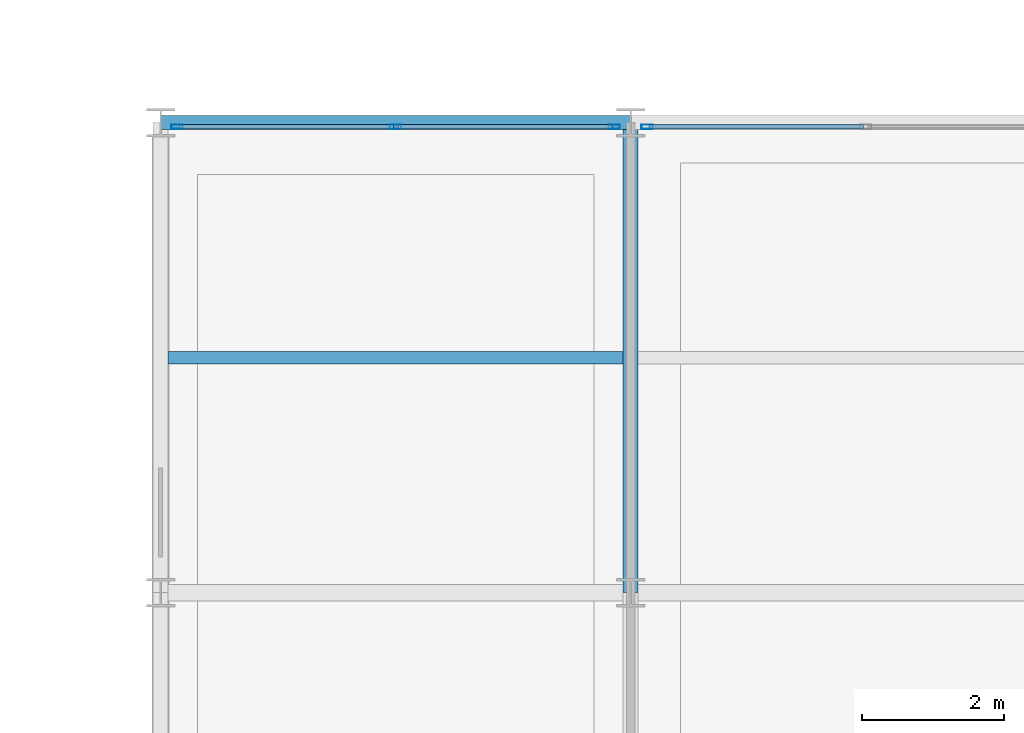
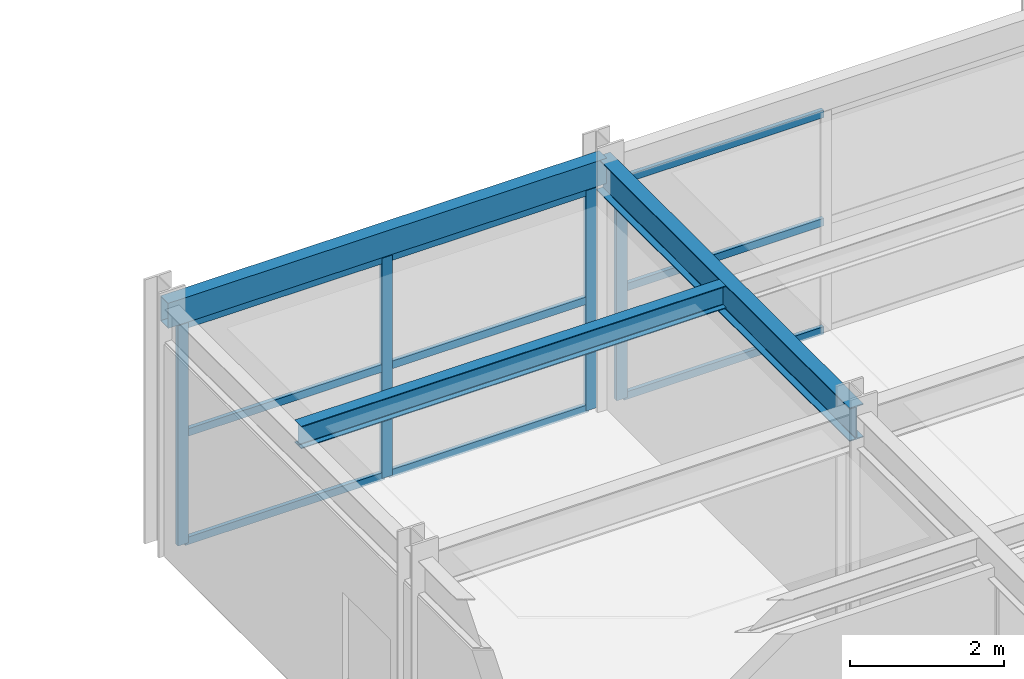
# One storey, part 55 of 147: 13 members, 3 beams, 2 elements without a shape of their own.
"""IFC4 building model written with IfcOpenShell, lengths in metres."""

from ifc_helpers import new_model, si_unit, direction, frame, origin, origin_2d, place, context, subcontext, project, spatial, hollow_rectangle, i_section, extrude, material, material_profile, profile_set, type_object, element, aggregate, save


model = new_model("IFC4")

# Units and contexts
model_context = context("Model", 3, precision=1e-05, world=origin(), true_north=direction((0.0, 1.0)))
body_context = subcontext(model_context, "Body", "Model", "MODEL_VIEW")
ifc_project = project(units=[si_unit("LENGTHUNIT", "METRE"), si_unit("AREAUNIT", "SQUARE_METRE"), si_unit("VOLUMEUNIT", "CUBIC_METRE"), si_unit("PLANEANGLEUNIT", "RADIAN"), si_unit("MASSUNIT", "GRAM", prefix="KILO")], contexts=[model_context])

# Site, building, storey
site_placement = place(None, origin())
site = spatial("IfcSite", under=ifc_project, at=site_placement, CompositionType="ELEMENT")
building_placement = place(site_placement, origin())
building = spatial("IfcBuilding", under=site, at=building_placement, Name="Karori Crest Natural Sciences Institute", CompositionType="ELEMENT")
storey_placement = place(building_placement, frame((0.0, 0.0, 9.10009765625)))
storey = spatial("IfcBuildingStorey", under=building, at=storey_placement, Name="L02", CompositionType="ELEMENT", Elevation=9.10009765625)

# Beams
ifc_material_1 = material(Name="Structural steel AS/NZS 3679.1 Grade 350", Category="steel")
ifc_material_profile_1 = material_profile(ifc_material_1, i_section(OverallWidth=0.208984375, OverallDepth=0.532958984375, WebThickness=0.01025390625, FlangeThickness=0.015625, FilletRadius=0.013916015625, at=origin_2d()), Name="530UB92.4")
ifc_profile_set_1 = profile_set([ifc_material_profile_1], Name="Structural steel AS/NZS 3679.1 Grade 350")
beam_type_1 = type_object("IfcBeamType", Name="BT-05", PredefinedType="BEAM", material=ifc_profile_set_1)
beam_1_placement = place(storey_placement, frame((110.199951171875, 14.0, 3.6533203125), z_axis=(0.0, 1.0, 0.0), x_axis=(-1.0, 0.0, 0.0)))
element("IfcBeam", 1, at=beam_1_placement, inside=storey, type_object=beam_type_1, Name="Beam B-2234", PredefinedType="BEAM", context=body_context, shape_type="SweptSolid", body=[
    extrude(i_section(OverallWidth=0.208984375, OverallDepth=0.532958984375, WebThickness=0.01025390625, FlangeThickness=0.015625, FilletRadius=0.013916015625, at=origin_2d()), origin(), (0.0, 0.0, 1.0), 6.60009765625),
])
ifc_material_profile_2 = material_profile(ifc_material_1, i_section(OverallWidth=0.172119140625, OverallDepth=0.35888671875, WebThickness=0.008056640625, FlangeThickness=0.012939453125, FilletRadius=0.010986328125, at=origin_2d()), Name="360UB56.7")
ifc_profile_set_2 = profile_set([ifc_material_profile_2], Name="Structural steel AS/NZS 3679.1 Grade 350")
beam_type_2 = type_object("IfcBeamType", Name="BT-08", PredefinedType="BEAM", material=ifc_profile_set_2)
beam_2_placement = place(storey_placement, frame((103.70458984375, 17.300048828125, 3.740478515625), z_axis=(1.0, 0.0, 0.0), x_axis=(0.0, 1.0, 0.0)))
element("IfcBeam", 2, at=beam_2_placement, inside=storey, type_object=beam_type_2, Name="Beam B-2260", PredefinedType="BEAM", context=body_context, shape_type="SweptSolid", body=[
    extrude(i_section(OverallWidth=0.172119140625, OverallDepth=0.35888671875, WebThickness=0.008056640625, FlangeThickness=0.012939453125, FilletRadius=0.010986328125, at=origin_2d()), origin(), (0.0, 0.0, 1.0), 6.390869140625),
])
ifc_material_2 = material(Name="Hollow structural steel AS/NZS 1163 Grade C350", Category="steel")
ifc_material_profile_3 = material_profile(ifc_material_2, hollow_rectangle(XDim=0.199951171875, YDim=0.39990234375, WallThickness=0.012451171875, at=origin_2d()), Name="RHS400x200x12.5")
ifc_profile_set_3 = profile_set([ifc_material_profile_3], Name="Hollow structural steel AS/NZS 1163 Grade C350")
beam_type_3 = type_object("IfcBeamType", Name="BT-14", PredefinedType="SPANDREL", material=ifc_profile_set_3)
beam_3_placement = place(storey_placement, frame((103.60009765625, 20.60009765625, 3.719970703125), z_axis=(1.0, 0.0, 0.0), x_axis=(0.0, 1.0, 0.0)))
element("IfcBeam", 3, at=beam_3_placement, inside=storey, type_object=beam_type_3, Name="Beam B-2220", PredefinedType="SPANDREL", context=body_context, shape_type="SweptSolid", body=[
    extrude(hollow_rectangle(XDim=0.199951171875, YDim=0.39990234375, WallThickness=0.012451171875, at=origin_2d()), origin(), (0.0, 0.0, 1.0), 6.599853515625),
])

# Curtain wall, members
ifc_material_3 = material(Name="Anodised architectural aluminium 6063-T6", Category="aluminium")
curtain_wall_type = type_object("IfcCurtainWallType", Name="CWT-20", PredefinedType="NOTDEFINED", material=ifc_material_3)
curtain_wall_1_placement = place(storey_placement, origin())
curtain_wall_1 = element("IfcCurtainWall", 4, at=curtain_wall_1_placement, inside=storey, type_object=curtain_wall_type, Name="Curtain wall CW-0313", PredefinedType="NOTDEFINED")
ifc_material_profile_4 = material_profile(ifc_material_3, hollow_rectangle(XDim=0.06494140625, YDim=0.159912109375, WallThickness=0.00390625, at=origin_2d()), Name="CWM160x65x4")
ifc_profile_set_4 = profile_set([ifc_material_profile_4], Name="Anodised architectural aluminium 6063-T6")
member_type_1 = type_object("IfcMemberType", Name="CWM-01", PredefinedType="MULLION", material=ifc_profile_set_4)
member_1_placement = place(storey_placement, frame((103.83056640625, 20.5400390625, 0.0), z_axis=(0.0, 0.0, 1.0), x_axis=(0.0, 1.0, 0.0)))
member_1 = element("IfcMember", 5, at=member_1_placement, type_object=member_type_1, Name="CW-0313 mullion 1", PredefinedType="MULLION", context=body_context, shape_type="SweptSolid", body=[
    extrude(hollow_rectangle(XDim=0.06494140625, YDim=0.159912109375, WallThickness=0.00390625, at=origin_2d()), origin(), (0.0, 0.0, 1.0), 3.5048828125),
])
member_2_placement = place(storey_placement, frame((106.89990234375, 20.5400390625, 0.0), z_axis=(0.0, 0.0, 1.0), x_axis=(0.0, 1.0, 0.0)))
member_2 = element("IfcMember", 6, at=member_2_placement, type_object=member_type_1, Name="CW-0313 mullion 2", PredefinedType="MULLION", context=body_context, shape_type="SweptSolid", body=[
    extrude(hollow_rectangle(XDim=0.06494140625, YDim=0.159912109375, WallThickness=0.00390625, at=origin_2d()), origin(), (0.0, 0.0, 1.0), 3.5048828125),
])
member_3_placement = place(storey_placement, frame((109.969482421875, 20.5400390625, 0.0), z_axis=(0.0, 0.0, 1.0), x_axis=(0.0, 1.0, 0.0)))
member_3 = element("IfcMember", 7, at=member_3_placement, type_object=member_type_1, Name="CW-0313 mullion 3", PredefinedType="MULLION", context=body_context, shape_type="SweptSolid", body=[
    extrude(hollow_rectangle(XDim=0.06494140625, YDim=0.159912109375, WallThickness=0.00390625, at=origin_2d()), origin(), (0.0, 0.0, 1.0), 3.5048828125),
])

# Curtain wall, member
curtain_wall_2_placement = place(storey_placement, origin())
curtain_wall_2 = element("IfcCurtainWall", 8, at=curtain_wall_2_placement, inside=storey, type_object=curtain_wall_type, Name="Curtain wall CW-0314", PredefinedType="NOTDEFINED")
member_4_placement = place(storey_placement, frame((110.430419921875, 20.5400390625, 0.0), z_axis=(0.0, 0.0, 1.0), x_axis=(0.0, 1.0, 0.0)))
member_4 = element("IfcMember", 9, at=member_4_placement, type_object=member_type_1, Name="CW-0314 mullion 1", PredefinedType="MULLION", context=body_context, shape_type="SweptSolid", body=[
    extrude(hollow_rectangle(XDim=0.06494140625, YDim=0.159912109375, WallThickness=0.00390625, at=origin_2d()), origin(), (0.0, 0.0, 1.0), 3.5048828125),
])

# Member
ifc_material_profile_5 = material_profile(ifc_material_3, hollow_rectangle(XDim=0.06005859375, YDim=0.1201171875, WallThickness=0.00390625, at=origin_2d()), Name="CWT120x60x4")
ifc_profile_set_5 = profile_set([ifc_material_profile_5], Name="Anodised architectural aluminium 6063-T6")
member_type_2 = type_object("IfcMemberType", Name="CWT-TR1", PredefinedType="USERDEFINED", material=ifc_profile_set_5)
member_5_placement = place(storey_placement, frame((103.863037109375, 20.5400390625, 0.02978515625), z_axis=(1.0, 0.0, 0.0), x_axis=(0.0, 1.0, 0.0)))
member_5 = element("IfcMember", 10, at=member_5_placement, type_object=member_type_2, Name="CW-0313 transom 1.1", ObjectType="TRANSOM", PredefinedType="USERDEFINED", context=body_context, shape_type="SweptSolid", body=[
    extrude(hollow_rectangle(XDim=0.06005859375, YDim=0.1201171875, WallThickness=0.00390625, at=origin_2d()), origin(), (0.0, 0.0, 1.0), 3.00439453125),
])

member_6_placement = place(storey_placement, frame((103.863037109375, 20.5400390625, 1.75244140625), z_axis=(1.0, 0.0, 0.0), x_axis=(0.0, 1.0, 0.0)))
member_6 = element("IfcMember", 11, at=member_6_placement, type_object=member_type_2, Name="CW-0313 transom 1.2", ObjectType="TRANSOM", PredefinedType="USERDEFINED", context=body_context, shape_type="SweptSolid", body=[
    extrude(hollow_rectangle(XDim=0.06005859375, YDim=0.1201171875, WallThickness=0.00390625, at=origin_2d()), origin(), (0.0, 0.0, 1.0), 3.00439453125),
])

member_7_placement = place(storey_placement, frame((103.863037109375, 20.5400390625, 3.474853515625), z_axis=(1.0, 0.0, 0.0), x_axis=(0.0, 1.0, 0.0)))
member_7 = element("IfcMember", 12, at=member_7_placement, type_object=member_type_2, Name="CW-0313 transom 1.3", ObjectType="TRANSOM", PredefinedType="USERDEFINED", context=body_context, shape_type="SweptSolid", body=[
    extrude(hollow_rectangle(XDim=0.06005859375, YDim=0.1201171875, WallThickness=0.00390625, at=origin_2d()), origin(), (0.0, 0.0, 1.0), 3.00439453125),
])

member_8_placement = place(storey_placement, frame((106.9326171875, 20.5400390625, 0.02978515625), z_axis=(1.0, 0.0, 0.0), x_axis=(0.0, 1.0, 0.0)))
member_8 = element("IfcMember", 13, at=member_8_placement, type_object=member_type_2, Name="CW-0313 transom 2.1", ObjectType="TRANSOM", PredefinedType="USERDEFINED", context=body_context, shape_type="SweptSolid", body=[
    extrude(hollow_rectangle(XDim=0.06005859375, YDim=0.1201171875, WallThickness=0.00390625, at=origin_2d()), origin(), (0.0, 0.0, 1.0), 3.00439453125),
])

member_9_placement = place(storey_placement, frame((106.9326171875, 20.5400390625, 1.75244140625), z_axis=(1.0, 0.0, 0.0), x_axis=(0.0, 1.0, 0.0)))
member_9 = element("IfcMember", 14, at=member_9_placement, type_object=member_type_2, Name="CW-0313 transom 2.2", ObjectType="TRANSOM", PredefinedType="USERDEFINED", context=body_context, shape_type="SweptSolid", body=[
    extrude(hollow_rectangle(XDim=0.06005859375, YDim=0.1201171875, WallThickness=0.00390625, at=origin_2d()), origin(), (0.0, 0.0, 1.0), 3.00439453125),
])

member_10_placement = place(storey_placement, frame((106.9326171875, 20.5400390625, 3.474853515625), z_axis=(1.0, 0.0, 0.0), x_axis=(0.0, 1.0, 0.0)))
member_10 = element("IfcMember", 15, at=member_10_placement, type_object=member_type_2, Name="CW-0313 transom 2.3", ObjectType="TRANSOM", PredefinedType="USERDEFINED", context=body_context, shape_type="SweptSolid", body=[
    extrude(hollow_rectangle(XDim=0.06005859375, YDim=0.1201171875, WallThickness=0.00390625, at=origin_2d()), origin(), (0.0, 0.0, 1.0), 3.00439453125),
])

aggregate(curtain_wall_1, [member_1, member_2, member_3, member_5, member_6, member_7, member_8, member_9, member_10])

member_11_placement = place(storey_placement, frame((110.462890625, 20.5400390625, 0.02978515625), z_axis=(1.0, 0.0, 0.0), x_axis=(0.0, 1.0, 0.0)))
member_11 = element("IfcMember", 16, at=member_11_placement, type_object=member_type_2, Name="CW-0314 transom 1.1", ObjectType="TRANSOM", PredefinedType="USERDEFINED", context=body_context, shape_type="SweptSolid", body=[
    extrude(hollow_rectangle(XDim=0.06005859375, YDim=0.1201171875, WallThickness=0.00390625, at=origin_2d()), origin(), (0.0, 0.0, 1.0), 3.004638671875),
])

member_12_placement = place(storey_placement, frame((110.462890625, 20.5400390625, 1.75244140625), z_axis=(1.0, 0.0, 0.0), x_axis=(0.0, 1.0, 0.0)))
member_12 = element("IfcMember", 17, at=member_12_placement, type_object=member_type_2, Name="CW-0314 transom 1.2", ObjectType="TRANSOM", PredefinedType="USERDEFINED", context=body_context, shape_type="SweptSolid", body=[
    extrude(hollow_rectangle(XDim=0.06005859375, YDim=0.1201171875, WallThickness=0.00390625, at=origin_2d()), origin(), (0.0, 0.0, 1.0), 3.004638671875),
])

member_13_placement = place(storey_placement, frame((110.462890625, 20.5400390625, 3.474853515625), z_axis=(1.0, 0.0, 0.0), x_axis=(0.0, 1.0, 0.0)))
member_13 = element("IfcMember", 18, at=member_13_placement, type_object=member_type_2, Name="CW-0314 transom 1.3", ObjectType="TRANSOM", PredefinedType="USERDEFINED", context=body_context, shape_type="SweptSolid", body=[
    extrude(hollow_rectangle(XDim=0.06005859375, YDim=0.1201171875, WallThickness=0.00390625, at=origin_2d()), origin(), (0.0, 0.0, 1.0), 3.004638671875),
])

aggregate(curtain_wall_2, [member_4, member_11, member_12, member_13])

save(model, "model.ifc")
